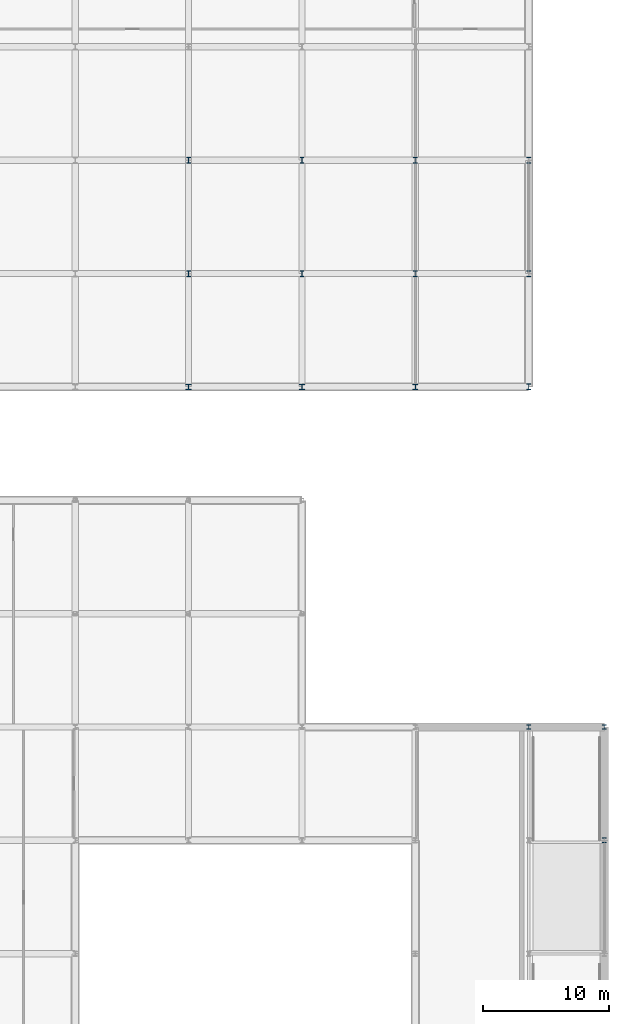
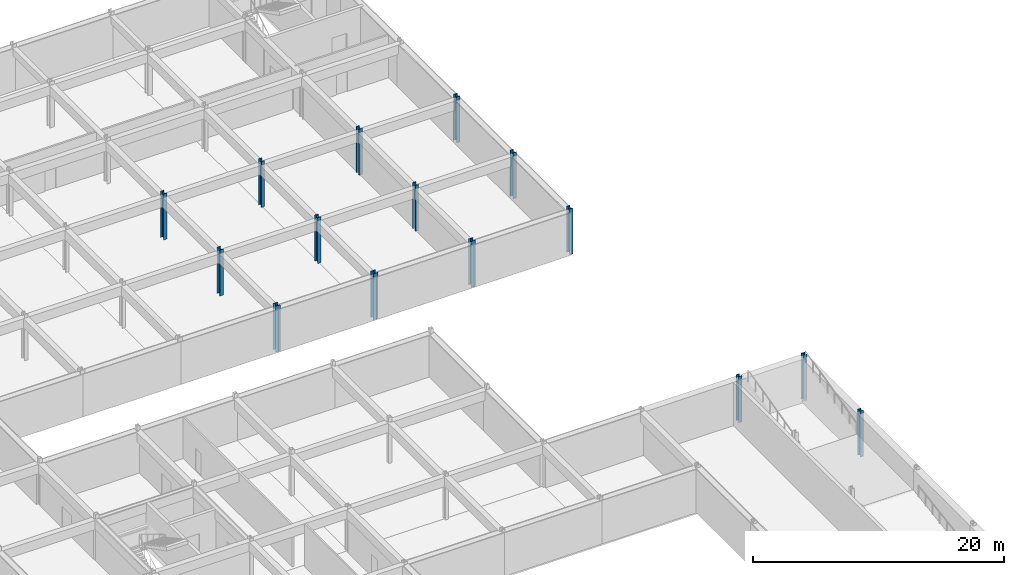
# One storey, part 13 of 35: 15 columns.
"""IFC4 building model written with IfcOpenShell, lengths in metres."""

from ifc_helpers import new_model, si_unit, direction, frame, origin, origin_2d, place, context, subcontext, project, spatial, i_section, extrude, material, material_profile, profile_set, type_object, element, save


model = new_model("IFC4")

# Units and contexts
model_context = context("Model", 3, precision=1e-05, world=origin(), true_north=direction((0.0, 1.0)))
body_context = subcontext(model_context, "Body", "Model", "MODEL_VIEW")
ifc_project = project(units=[si_unit("LENGTHUNIT", "METRE"), si_unit("AREAUNIT", "SQUARE_METRE"), si_unit("VOLUMEUNIT", "CUBIC_METRE"), si_unit("PLANEANGLEUNIT", "RADIAN"), si_unit("MASSUNIT", "GRAM", prefix="KILO")], contexts=[model_context])

# Site, building, storey
site_placement = place(None, origin())
site = spatial("IfcSite", under=ifc_project, at=site_placement, CompositionType="ELEMENT")
building_placement = place(site_placement, origin())
building = spatial("IfcBuilding", under=site, at=building_placement, Name="Palais des Congres Ocreval", CompositionType="ELEMENT")
storey_placement = place(building_placement, frame((0.0, 0.0, -4.47998046875)))
storey = spatial("IfcBuildingStorey", under=building, at=storey_placement, Name="B1", CompositionType="ELEMENT", Elevation=-4.47998046875)

# Columns
ifc_material_1 = material(Name="Steel S460", Category="steel")
ifc_material_profile_1 = material_profile(ifc_material_1, i_section(OverallWidth=0.41796875, OverallDepth=0.455078125, WebThickness=0.031982421875, FlangeThickness=0.055908203125, at=origin_2d()), Name="HD 400x551")
ifc_profile_set_1 = profile_set([ifc_material_profile_1], Name="Steel S460")
column_type_1 = type_object("IfcColumnType", Name="Column HD 400x551 Steel S460", PredefinedType="COLUMN", material=ifc_profile_set_1)
for number, where, z_axis, x_axis, name in (
    (1, (135.0, 72.0, 0.0), (0.0, 0.0, 1.0), (1.0, 0.0, 0.0), "Column C01 B1"),
    (2, (144.0, 72.0, 0.0), (0.0, 0.0, 1.0), (1.0, 0.0, 0.0), "Column C01 B1"),
    (3, (153.0, 72.0, 0.0), (0.0, 0.0, 1.0), (1.0, 0.0, 0.0), "Column C01 B1"),
):
    element("IfcColumn", number, at=place(storey_placement, frame(where, z_axis=z_axis, x_axis=x_axis)), inside=storey, type_object=column_type_1, Name=name, PredefinedType="COLUMN", context=body_context, shape_type="SweptSolid", body=[
        extrude(i_section(OverallWidth=0.41796875, OverallDepth=0.455078125, WebThickness=0.031982421875, FlangeThickness=0.055908203125, at=origin_2d()), origin(), (0.0, 0.0, 1.0), 4.47998046875),
    ])
ifc_material_2 = material(Name="Steel S355", Category="steel")
ifc_material_profile_2 = material_profile(ifc_material_2, i_section(OverallWidth=0.30810546875, OverallDepth=0.39501953125, WebThickness=0.02099609375, FlangeThickness=0.0400390625, at=origin_2d()), Name="HEM 360")
ifc_profile_set_2 = profile_set([ifc_material_profile_2], Name="Steel S355")
column_type_2 = type_object("IfcColumnType", Name="Column HEM 360 Steel S355", PredefinedType="COLUMN", material=ifc_profile_set_2)
for number, where, z_axis, x_axis, name in (
    (4, (162.0, 45.0, 0.0), (0.0, 0.0, 1.0), (1.0, 0.0, 0.0), "Column C07 B1"),
    (5, (168.0, 36.0, 0.0), (0.0, 0.0, 1.0), (1.0, 0.0, 0.0), "Column C07 B1"),
    (6, (168.0, 45.0, 0.0), (0.0, 0.0, 1.0), (1.0, 0.0, 0.0), "Column C07 B1"),
):
    element("IfcColumn", number, at=place(storey_placement, frame(where, z_axis=z_axis, x_axis=x_axis)), inside=storey, type_object=column_type_2, Name=name, PredefinedType="COLUMN", context=body_context, shape_type="SweptSolid", body=[
        extrude(i_section(OverallWidth=0.30810546875, OverallDepth=0.39501953125, WebThickness=0.02099609375, FlangeThickness=0.0400390625, at=origin_2d()), origin(), (0.0, 0.0, 1.0), 4.47998046875),
    ])
ifc_material_profile_3 = material_profile(ifc_material_2, i_section(OverallWidth=0.306884765625, OverallDepth=0.47802734375, WebThickness=0.02099609375, FlangeThickness=0.0400390625, at=origin_2d()), Name="HEM 450")
ifc_profile_set_3 = profile_set([ifc_material_profile_3], Name="Steel S355")
column_type_3 = type_object("IfcColumnType", Name="Column HEM 450 Steel S355", PredefinedType="COLUMN", material=ifc_profile_set_3)
for number, where, z_axis, x_axis, name in (
    (7, (135.0, 81.0, 0.0), (0.0, 0.0, 1.0), (1.0, 0.0, 0.0), "Column C06 B1"),
    (8, (135.0, 90.0, 0.0), (0.0, 0.0, 1.0), (1.0, 0.0, 0.0), "Column C06 B1"),
    (9, (144.0, 81.0, 0.0), (0.0, 0.0, 1.0), (1.0, 0.0, 0.0), "Column C06 B1"),
    (10, (144.0, 90.0, 0.0), (0.0, 0.0, 1.0), (1.0, 0.0, 0.0), "Column C06 B1"),
    (11, (153.0, 81.0, 0.0), (0.0, 0.0, 1.0), (1.0, 0.0, 0.0), "Column C06 B1"),
    (12, (153.0, 90.0, 0.0), (0.0, 0.0, 1.0), (1.0, 0.0, 0.0), "Column C06 B1"),
    (13, (162.0, 72.0, 0.0), (0.0, 0.0, 1.0), (1.0, 0.0, 0.0), "Column C06 B1"),
    (14, (162.0, 81.0, 0.0), (0.0, 0.0, 1.0), (1.0, 0.0, 0.0), "Column C06 B1"),
    (15, (162.0, 90.0, 0.0), (0.0, 0.0, 1.0), (1.0, 0.0, 0.0), "Column C06 B1"),
):
    element("IfcColumn", number, at=place(storey_placement, frame(where, z_axis=z_axis, x_axis=x_axis)), inside=storey, type_object=column_type_3, Name=name, PredefinedType="COLUMN", context=body_context, shape_type="SweptSolid", body=[
        extrude(i_section(OverallWidth=0.306884765625, OverallDepth=0.47802734375, WebThickness=0.02099609375, FlangeThickness=0.0400390625, at=origin_2d()), origin(), (0.0, 0.0, 1.0), 4.47998046875),
    ])

save(model, "model.ifc")
